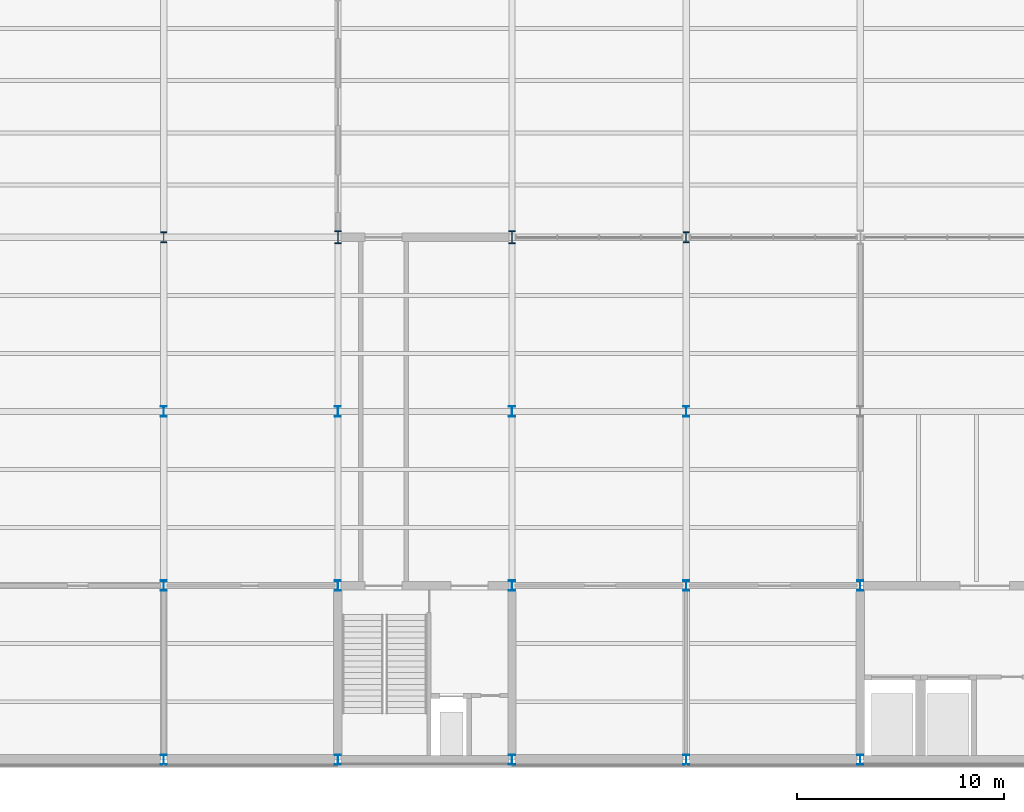
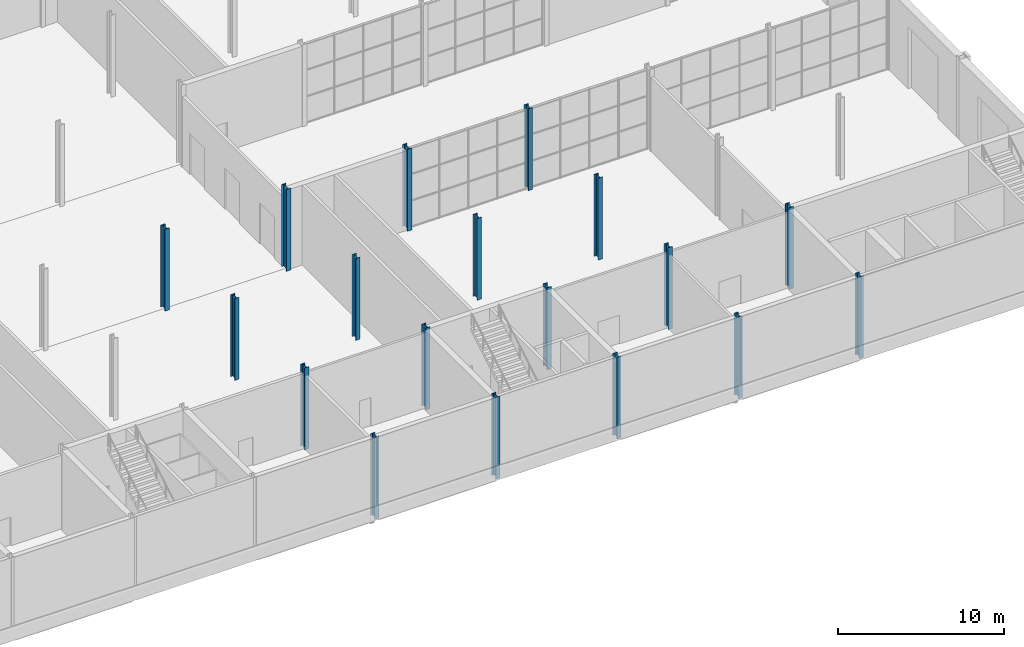
# One storey, part 5 of 55: 18 columns.
"""IFC4 building model written with IfcOpenShell, lengths in metres."""

from ifc_helpers import new_model, si_unit, direction, frame, origin, origin_2d, place, context, subcontext, project, spatial, i_section, extrude, material, material_profile, profile_set, type_object, element, save


model = new_model("IFC4")

# Units and contexts
model_context = context("Model", 3, precision=1e-05, world=origin(), true_north=direction((0.0, 1.0)))
body_context = subcontext(model_context, "Body", "Model", "MODEL_VIEW")
ifc_project = project(units=[si_unit("LENGTHUNIT", "METRE"), si_unit("AREAUNIT", "SQUARE_METRE"), si_unit("VOLUMEUNIT", "CUBIC_METRE"), si_unit("PLANEANGLEUNIT", "RADIAN"), si_unit("MASSUNIT", "GRAM", prefix="KILO")], contexts=[model_context])

# Site, building, storey
site_placement = place(None, origin())
site = spatial("IfcSite", under=ifc_project, at=site_placement, CompositionType="ELEMENT")
building_placement = place(site_placement, origin())
building = spatial("IfcBuilding", under=site, at=building_placement, Name="Galleria Vessillo Department Store", CompositionType="ELEMENT")
storey_placement = place(building_placement, origin())
storey = spatial("IfcBuildingStorey", under=building, at=storey_placement, Name="L00", CompositionType="ELEMENT", Elevation=0.0)

# Columns
ifc_material_1 = material(Name="Steel S355 J2", Category="steel")
ifc_material_profile_1 = material_profile(ifc_material_1, i_section(OverallWidth=0.300048828125, OverallDepth=0.5, WebThickness=0.014404296875, FlangeThickness=0.028076171875, FilletRadius=0.027099609375, at=origin_2d()), Name="HEB 500")
ifc_profile_set_1 = profile_set([ifc_material_profile_1], Name="Steel S355 J2")
column_type_1 = type_object("IfcColumnType", Name="Steel column HEB 500 CP1", PredefinedType="COLUMN", material=ifc_profile_set_1)
for number, where, z_axis, x_axis, name in (
    (1, (67.199951171875, 0.0, 0.0), (0.0, 0.0, 1.0), (1.0, 0.0, 0.0), "S-COL-L00-9-A"),
    (2, (67.199951171875, 8.39990234375, 0.0), (0.0, 0.0, 1.0), (1.0, 0.0, 0.0), "S-COL-L00-9-B"),
    (3, (67.199951171875, 16.800048828125, 0.0), (0.0, 0.0, 1.0), (1.0, 0.0, 0.0), "S-COL-L00-9-C"),
    (4, (75.60009765625, 0.0, 0.0), (0.0, 0.0, 1.0), (1.0, 0.0, 0.0), "S-COL-L00-10-A"),
    (5, (75.60009765625, 8.39990234375, 0.0), (0.0, 0.0, 1.0), (1.0, 0.0, 0.0), "S-COL-L00-10-B"),
    (6, (75.60009765625, 16.800048828125, 0.0), (0.0, 0.0, 1.0), (1.0, 0.0, 0.0), "S-COL-L00-10-C"),
    (7, (84.0, 0.0, 0.0), (0.0, 0.0, 1.0), (1.0, 0.0, 0.0), "S-COL-L00-11-A"),
    (8, (84.0, 8.39990234375, 0.0), (0.0, 0.0, 1.0), (1.0, 0.0, 0.0), "S-COL-L00-11-B"),
    (9, (84.0, 16.800048828125, 0.0), (0.0, 0.0, 1.0), (1.0, 0.0, 0.0), "S-COL-L00-11-C"),
    (10, (92.39990234375, 0.0, 0.0), (0.0, 0.0, 1.0), (1.0, 0.0, 0.0), "S-COL-L00-12-A"),
    (11, (92.39990234375, 8.39990234375, 0.0), (0.0, 0.0, 1.0), (1.0, 0.0, 0.0), "S-COL-L00-12-B"),
    (12, (92.39990234375, 16.800048828125, 0.0), (0.0, 0.0, 1.0), (1.0, 0.0, 0.0), "S-COL-L00-12-C"),
    (13, (100.800048828125, 0.0, 0.0), (0.0, 0.0, 1.0), (1.0, 0.0, 0.0), "S-COL-L00-13-A"),
    (14, (100.800048828125, 8.39990234375, 0.0), (0.0, 0.0, 1.0), (1.0, 0.0, 0.0), "S-COL-L00-13-B"),
):
    element("IfcColumn", number, at=place(storey_placement, frame(where, z_axis=z_axis, x_axis=x_axis)), inside=storey, type_object=column_type_1, Name=name, PredefinedType="COLUMN", context=body_context, shape_type="SweptSolid", body=[
        extrude(i_section(OverallWidth=0.300048828125, OverallDepth=0.5, WebThickness=0.014404296875, FlangeThickness=0.028076171875, FilletRadius=0.027099609375, at=origin_2d()), origin(), (0.0, 0.0, 1.0), 6.0),
    ])
ifc_material_2 = material(Name="Steel S355 J2", Category="steel")
ifc_material_profile_2 = material_profile(ifc_material_2, i_section(OverallWidth=0.305908203125, OverallDepth=0.52392578125, WebThickness=0.02099609375, FlangeThickness=0.0400390625, FilletRadius=0.027099609375, at=origin_2d()), Name="HEM 500")
ifc_profile_set_2 = profile_set([ifc_material_profile_2], Name="Steel S355 J2")
column_type_2 = type_object("IfcColumnType", Name="Steel column HEM 500 CV1", PredefinedType="COLUMN", material=ifc_profile_set_2)
for number, where, z_axis, x_axis, name in (
    (15, (67.199951171875, 25.199951171875, 0.0), (0.0, 0.0, 1.0), (1.0, 0.0, 0.0), "S-COL-L00-9-D"),
    (16, (92.39990234375, 25.199951171875, 0.0), (0.0, 0.0, 1.0), (1.0, 0.0, 0.0), "S-COL-L00-12-D"),
):
    element("IfcColumn", number, at=place(storey_placement, frame(where, z_axis=z_axis, x_axis=x_axis)), inside=storey, type_object=column_type_2, Name=name, PredefinedType="COLUMN", context=body_context, shape_type="SweptSolid", body=[
        extrude(i_section(OverallWidth=0.305908203125, OverallDepth=0.52392578125, WebThickness=0.02099609375, FlangeThickness=0.0400390625, FilletRadius=0.027099609375, at=origin_2d()), origin(), (0.0, 0.0, 1.0), 6.0),
    ])
ifc_material_3 = material(Name="Steel S355 J2", Category="steel")
ifc_material_profile_3 = material_profile(ifc_material_3, i_section(OverallWidth=0.304931640625, OverallDepth=0.6201171875, WebThickness=0.02099609375, FlangeThickness=0.0400390625, FilletRadius=0.027099609375, at=origin_2d()), Name="HEM 600")
ifc_profile_set_3 = profile_set([ifc_material_profile_3], Name="Steel S355 J2")
column_type_3 = type_object("IfcColumnType", Name="Steel column HEM 600 CV2", PredefinedType="COLUMN", material=ifc_profile_set_3)
for number, where, z_axis, x_axis, name in (
    (17, (75.60009765625, 25.199951171875, 0.0), (0.0, 0.0, 1.0), (1.0, 0.0, 0.0), "S-COL-L00-10-D"),
    (18, (84.0, 25.199951171875, 0.0), (0.0, 0.0, 1.0), (1.0, 0.0, 0.0), "S-COL-L00-11-D"),
):
    element("IfcColumn", number, at=place(storey_placement, frame(where, z_axis=z_axis, x_axis=x_axis)), inside=storey, type_object=column_type_3, Name=name, PredefinedType="COLUMN", context=body_context, shape_type="SweptSolid", body=[
        extrude(i_section(OverallWidth=0.304931640625, OverallDepth=0.6201171875, WebThickness=0.02099609375, FlangeThickness=0.0400390625, FilletRadius=0.027099609375, at=origin_2d()), origin(), (0.0, 0.0, 1.0), 6.0),
    ])

save(model, "model.ifc")
